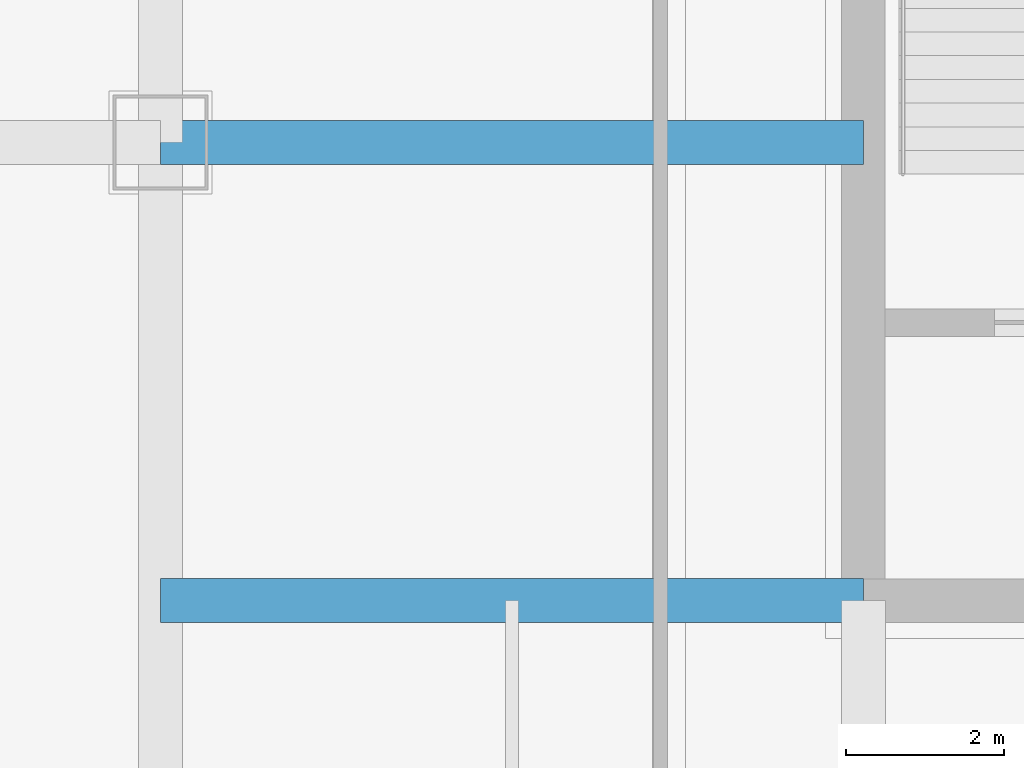
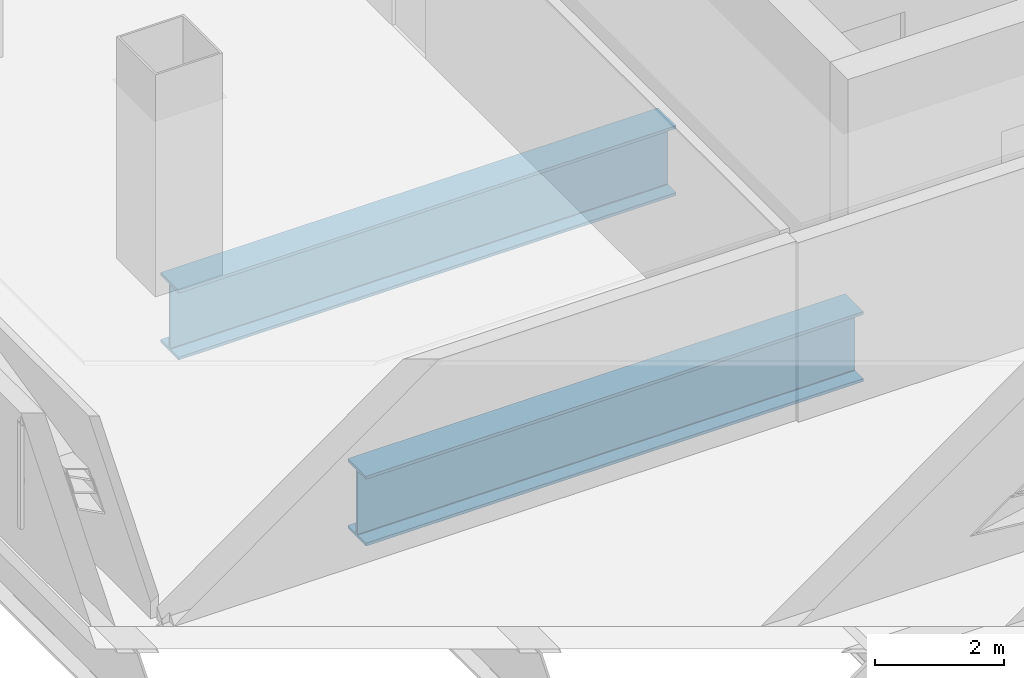
# One storey, part 3 of 31: 2 beams.
"""IFC4 building model written with IfcOpenShell, lengths in metres."""

import ifcopenshell
import ifcopenshell.guid

model = None  # the IFC model being written
_history = None  # IfcOwnerHistory: only IFC2X3 demands one
_inside = {}  # id of a spatial element -> (the spatial element, [elements in it])
_under = {}  # id of a project, library or spatial element -> (it, [spatial elements below it])
_declared = {}  # id of a project -> (the project, [libraries it declares])
_typed = {}  # id of a type object -> (the type object, [elements of that type])
_made_of = {}  # id of a material, layer set ... -> (it, [elements and type objects made of it])


def new_model(schema):
    """Start an empty IFC model of exactly this schema.

    Asked for "IFC4X3", IfcOpenShell would pick the latest addendum, in which some entities
    have other attributes; the version numbers below select the first issue.
    IFC2X3 requires an IfcOwnerHistory on every rooted entity: one is made here for all.
    """
    global model, _history
    if schema == "IFC4X3":
        model = ifcopenshell.file(schema_version=(4, 3, 0, 0))
    else:
        model = ifcopenshell.file(schema=schema)
    _inside.clear()
    _under.clear()
    _declared.clear()
    _typed.clear()
    _made_of.clear()
    _history = None
    if model.schema == "IFC2X3":
        org = make("IfcOrganization", Name="unknown")
        user = make(
            "IfcPersonAndOrganization",
            ThePerson=make("IfcPerson", FamilyName="unknown"),
            TheOrganization=org,
        )
        app = make(
            "IfcApplication",
            ApplicationDeveloper=org,
            Version="unknown",
            ApplicationFullName="unknown",
            ApplicationIdentifier="unknown",
        )
        _history = make(
            "IfcOwnerHistory",
            OwningUser=user,
            OwningApplication=app,
            ChangeAction="ADDED",
            CreationDate=0,
        )
    return model


def make(cls, **values):
    """One entity of the class cls with the attributes given. An attribute that is None is left unset."""
    return model.create_entity(
        cls, **{name: value for name, value in values.items() if value is not None}
    )


def rooted(cls, **values):
    """An entity with a GlobalId (a new one), such as an element, a storey or a relation."""
    return make(cls, GlobalId=ifcopenshell.guid.new(), OwnerHistory=_history, **values)


def si_unit(unit_type, name, prefix=None):
    """IfcSIUnit, for example si_unit("LENGTHUNIT", "METRE", prefix="MILLI")."""
    return make("IfcSIUnit", UnitType=unit_type, Prefix=prefix, Name=name)


def assignment(units):
    """IfcUnitAssignment: the units of a project."""
    return None if units is None else make("IfcUnitAssignment", Units=units)


def point(xyz):
    """IfcCartesianPoint."""
    return None if xyz is None else make("IfcCartesianPoint", Coordinates=xyz)


def direction(xyz):
    """IfcDirection."""
    return None if xyz is None else make("IfcDirection", DirectionRatios=xyz)


def frame(location, z_axis=None, x_axis=None):
    """IfcAxis2Placement3D, a coordinate frame: its origin and axes. An axis left out is left unset."""
    return make(
        "IfcAxis2Placement3D",
        Location=point(location),
        Axis=direction(z_axis),
        RefDirection=direction(x_axis),
    )


def frame_2d(location, x_axis=None):
    """IfcAxis2Placement2D, a coordinate frame in the plane: its origin and x axis."""
    return make(
        "IfcAxis2Placement2D", Location=point(location), RefDirection=direction(x_axis)
    )


def origin():
    """The frame at (0, 0, 0) with its axes left unset."""
    return frame((0.0, 0.0, 0.0))


def origin_2d():
    """The frame at (0, 0) in the plane with its x axis left unset."""
    return frame_2d((0.0, 0.0))


def place(relative_to, where):
    """IfcLocalPlacement: puts the frame where relative to a parent placement (None: the world)."""
    return make(
        "IfcLocalPlacement", PlacementRelTo=relative_to, RelativePlacement=where
    )


def context(
    kind, dimensions, precision=None, world=None, true_north=None, identifier=None
):
    """IfcGeometricRepresentationContext, for example the 3D "Model" context."""
    return make(
        "IfcGeometricRepresentationContext",
        ContextIdentifier=identifier,
        ContextType=kind,
        CoordinateSpaceDimension=dimensions,
        Precision=precision,
        WorldCoordinateSystem=world,
        TrueNorth=true_north,
    )


def subcontext(parent, identifier, kind, view, scale=None):
    """IfcGeometricRepresentationSubContext, for example "Body" below "Model"."""
    return make(
        "IfcGeometricRepresentationSubContext",
        ContextIdentifier=identifier,
        ContextType=kind,
        ParentContext=parent,
        TargetScale=scale,
        TargetView=view,
    )


def project(units=None, contexts=None):
    """IfcProject with its units and contexts."""
    return rooted(
        "IfcProject",
        Name="project",
        RepresentationContexts=contexts,
        UnitsInContext=assignment(units),
    )


def spatial(cls, under=None, at=None, **own):
    """A site, building, storey or space (cls), placed at a placement, below another one or the project."""
    s = rooted(cls, ObjectPlacement=at, **own)
    if under is not None:
        _under.setdefault(under.id(), (under, []))[1].append(s)
    return s


def profile(cls, at=None, kind="AREA", **sizes):
    """A parametric profile (cls). Its sizes go by their IFC names, for example OverallWidth=200.0."""
    return make(cls, ProfileType=kind, Position=at, **sizes)


def i_section(**sizes):
    """IfcIShapeProfileDef."""
    return profile("IfcIShapeProfileDef", **sizes)


def extrude(swept, where, along, depth):
    """IfcExtrudedAreaSolid: the profile swept, set in the frame where, extruded along a direction by depth."""
    return make(
        "IfcExtrudedAreaSolid",
        SweptArea=swept,
        Position=where,
        ExtrudedDirection=direction(along),
        Depth=depth,
    )


def shape(context_of_items, identifier, shape_type, items):
    """IfcShapeRepresentation: the items that make up one representation, for example the "Body"."""
    return make(
        "IfcShapeRepresentation",
        ContextOfItems=context_of_items,
        RepresentationIdentifier=identifier,
        RepresentationType=shape_type,
        Items=items,
    )


def material(Name=None, Category=None):
    """IfcMaterial."""
    return make("IfcMaterial", Name=Name, Category=Category)


def material_profile(
    of_material, cross_section, Name=None, Category=None, Priority=None
):
    """IfcMaterialProfile: a cross section and its material."""
    return make(
        "IfcMaterialProfile",
        Name=Name,
        Material=of_material,
        Profile=cross_section,
        Priority=Priority,
        Category=Category,
    )


def profile_set(profiles, Name=None, composite=None):
    """IfcMaterialProfileSet."""
    return make(
        "IfcMaterialProfileSet",
        Name=Name,
        MaterialProfiles=profiles,
        CompositeProfile=composite,
    )


def made_of(thing, what):
    """Note that an element or type object is made of a material, layer set ...; save() writes the relation."""
    if what is not None:
        _made_of.setdefault(what.id(), (what, []))[1].append(thing)
    return thing


def type_object(cls, material=None, **own):
    """A type object (cls), such as IfcWallType, which elements share."""
    return made_of(rooted(cls, **own), material)


def element(
    cls,
    number,
    at=None,
    inside=None,
    cuts=None,
    type_object=None,
    material=None,
    context=None,
    identifier="Body",
    shape_type=None,
    held_by="IfcProductDefinitionShape",
    body=None,
    shapes=None,
    **own,
):
    """One element of the class cls, such as IfcWall. Its Tag is "e" and its number.

    at: its placement. inside: the storey or other place that contains it. cuts: it is an
    opening in that element (IfcRelVoidsElement). A single representation is given by context,
    identifier, shape_type and body (its items); several are given by shapes. held_by: the class
    of the entity that holds the representations. save() writes the other relations.
    """
    e = rooted(cls, Tag="e%d" % number, ObjectPlacement=at, **own)
    if body is not None:
        shapes = [shape(context, identifier, shape_type, body)]
    if shapes is not None:
        e.Representation = make(held_by, Representations=shapes)
    if inside is not None:
        _inside.setdefault(inside.id(), (inside, []))[1].append(e)
    if cuts is not None:
        rooted(
            "IfcRelVoidsElement", RelatingBuildingElement=cuts, RelatedOpeningElement=e
        )
    if type_object is not None:
        _typed.setdefault(type_object.id(), (type_object, []))[1].append(e)
    return made_of(e, material)


def aggregate(whole, parts):
    """IfcRelAggregates: a whole, such as a stair, and the parts it consists of."""
    return rooted("IfcRelAggregates", RelatingObject=whole, RelatedObjects=parts)


def save(model, path):
    """Write the relations noted so far, then the file.

    IfcRelAggregates (storeys below a building ...), IfcRelContainedInSpatialStructure (elements
    in a storey), IfcRelDefinesByType, IfcRelAssociatesMaterial and IfcRelDeclares: one each for
    every whole, place, type object, material and project.
    """
    for whole, parts in _under.values():
        aggregate(whole, parts)
    for where, things in _inside.values():
        rooted(
            "IfcRelContainedInSpatialStructure",
            RelatedElements=things,
            RelatingStructure=where,
        )
    for kind, things in _typed.values():
        rooted("IfcRelDefinesByType", RelatedObjects=things, RelatingType=kind)
    for what, things in _made_of.values():
        rooted("IfcRelAssociatesMaterial", RelatedObjects=things, RelatingMaterial=what)
    for by, libraries in _declared.values():
        rooted("IfcRelDeclares", RelatingContext=by, RelatedDefinitions=libraries)
    model.write(path)


model = new_model("IFC4")

# Units and contexts
model_context = context("Model", 3, precision=1e-05, world=origin(), true_north=direction((0.0, 1.0)))
body_context = subcontext(model_context, "Body", "Model", "MODEL_VIEW")
ifc_project = project(units=[si_unit("LENGTHUNIT", "METRE"), si_unit("AREAUNIT", "SQUARE_METRE"), si_unit("VOLUMEUNIT", "CUBIC_METRE"), si_unit("PLANEANGLEUNIT", "RADIAN"), si_unit("MASSUNIT", "GRAM", prefix="KILO")], contexts=[model_context])

# Site, building, storey
site_placement = place(None, origin())
site = spatial("IfcSite", under=ifc_project, at=site_placement, CompositionType="ELEMENT")
building_placement = place(site_placement, origin())
building = spatial("IfcBuilding", under=site, at=building_placement, Name="Punatoya Terracotta Tower", CompositionType="ELEMENT")
storey_placement = place(building_placement, frame((0.0, 0.0, 283.800048828125)))
storey = spatial("IfcBuildingStorey", under=building, at=storey_placement, Name="L67", CompositionType="ELEMENT", Elevation=283.800048828125)

# Beams
ifc_material = material(Name="Steel S460", Category="steel")
ifc_material_profile = material_profile(ifc_material, i_section(OverallWidth=0.56005859375, OverallDepth=1.320068359375, WebThickness=0.035888671875, FlangeThickness=0.054931640625, FilletRadius=0.01806640625, at=origin_2d()))
ifc_profile_set = profile_set([ifc_material_profile], Name="Steel S460")
beam_type = type_object("IfcBeamType", Name="BM-TG-BLK", PredefinedType="BEAM", material=ifc_profile_set)
for number, where, z_axis, x_axis, name in (
    (1, (-19.10009765625, -9.199951171875, -0.93994140625), (1.0, 0.0, 0.0), (0.0, 1.0, 0.0), "BM-L67-PR-WS"),
    (2, (-19.10009765625, -3.39990234375, -0.93994140625), (1.0, 0.0, 0.0), (0.0, 1.0, 0.0), "BM-L67-PR-WD"),
):
    element("IfcBeam", number, at=place(storey_placement, frame(where, z_axis=z_axis, x_axis=x_axis)), inside=storey, type_object=beam_type, Name=name, PredefinedType="BEAM", context=body_context, shape_type="SweptSolid", body=[
        extrude(i_section(OverallWidth=0.56005859375, OverallDepth=1.320068359375, WebThickness=0.035888671875, FlangeThickness=0.054931640625, FilletRadius=0.01806640625, at=origin_2d()), origin(), (0.0, 0.0, 1.0), 8.900146484375),
    ])

save(model, "model.ifc")
